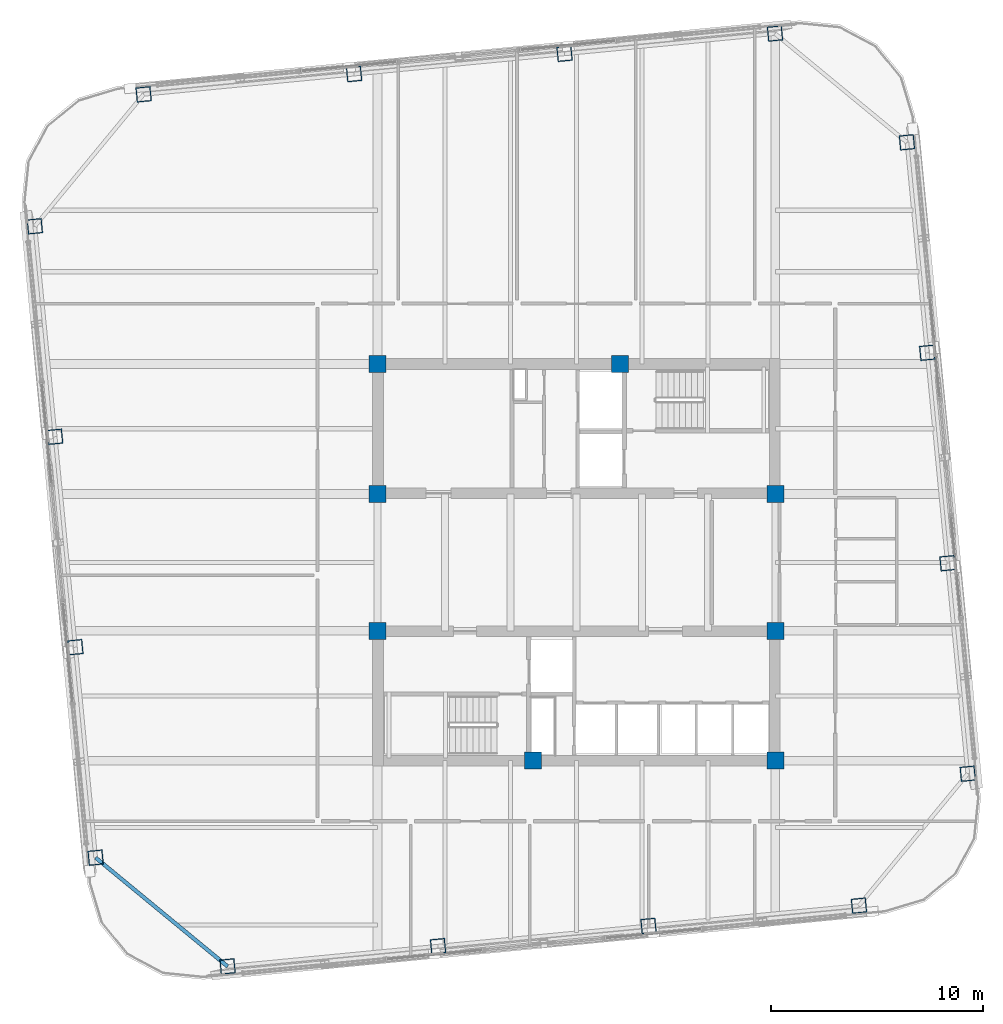
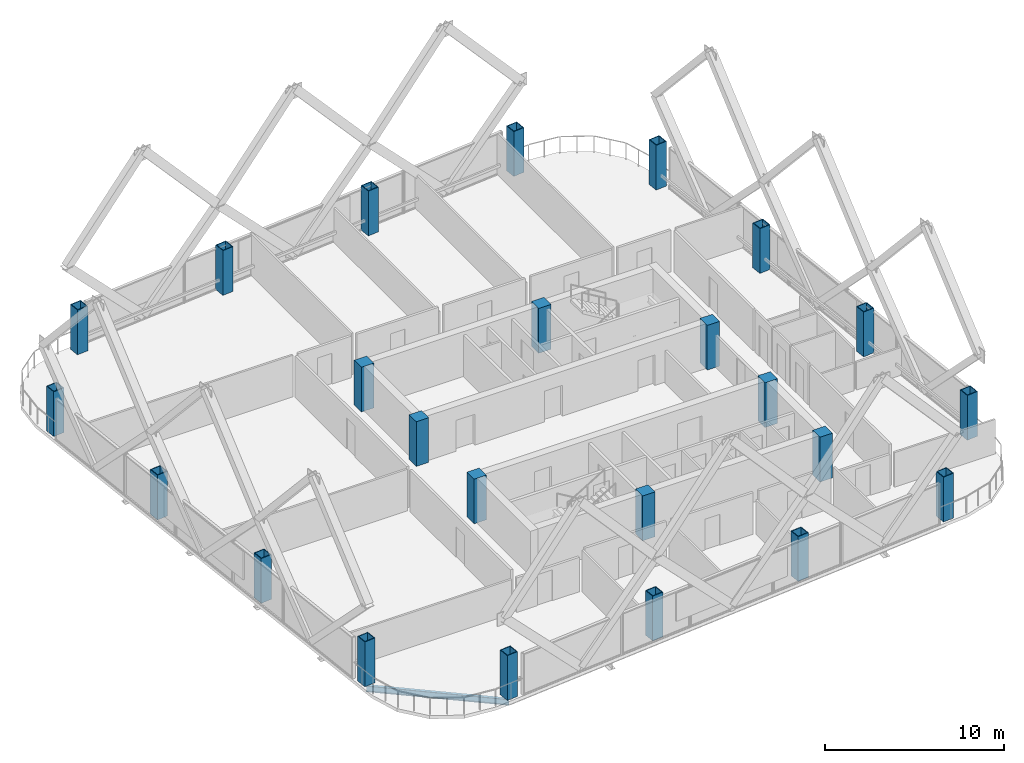
# One storey, part 1 of 34: 24 columns, 1 beam.
"""IFC4 building model written with IfcOpenShell, lengths in metres."""

from ifc_helpers import new_model, si_unit, direction, frame, origin, origin_2d, place, context, subcontext, project, spatial, rectangle, hollow_rectangle, i_section, extrude, material, material_profile, profile_set, type_object, element, save


model = new_model("IFC4")

# Units and contexts
model_context = context("Model", 3, precision=1e-05, world=origin(), true_north=direction((0.0, 1.0)))
body_context = subcontext(model_context, "Body", "Model", "MODEL_VIEW")
ifc_project = project(units=[si_unit("LENGTHUNIT", "METRE"), si_unit("AREAUNIT", "SQUARE_METRE"), si_unit("VOLUMEUNIT", "CUBIC_METRE"), si_unit("PLANEANGLEUNIT", "RADIAN"), si_unit("MASSUNIT", "GRAM", prefix="KILO")], contexts=[model_context])

# Site, building, storey
site_placement = place(None, origin())
site = spatial("IfcSite", under=ifc_project, at=site_placement, CompositionType="ELEMENT")
building_placement = place(site_placement, origin())
building = spatial("IfcBuilding", under=site, at=building_placement, Name="Qhalaya Broadcast Tower", CompositionType="ELEMENT")
storey_placement = place(building_placement, frame((0.0, 0.0, 168.35009765625)))
storey = spatial("IfcBuildingStorey", under=building, at=storey_placement, Name="L49", CompositionType="ELEMENT", Elevation=168.35009765625)

# Columns
ifc_material_1 = material(Name="Concrete C50/60", Category="concrete")
ifc_material_profile_1 = material_profile(ifc_material_1, rectangle(XDim=0.800048828125, YDim=0.800048828125, at=origin_2d()), Name="RC-COL 800x800")
ifc_profile_set_1 = profile_set([ifc_material_profile_1], Name="Concrete C50/60")
column_type_1 = type_object("IfcColumnType", Name="RC Upper Column C10", PredefinedType="COLUMN", material=ifc_profile_set_1)
for number, where, z_axis, x_axis, name in (
    (1, (-9.375, 9.949951171875, 0.0), (0.0, 0.0, 1.0), (1.0, 0.0, 0.0), "L49 Column COL-CC1"),
    (2, (2.050048828125, 9.949951171875, 0.0), (0.0, 0.0, 1.0), (1.0, 0.0, 0.0), "L49 Column COL-CC2"),
    (3, (-9.375, 3.824951171875, 0.0), (0.0, 0.0, 1.0), (1.0, 0.0, 0.0), "L49 Column COL-CC3"),
    (4, (9.375, 3.824951171875, 0.0), (0.0, 0.0, 1.0), (1.0, 0.0, 0.0), "L49 Column COL-CC4"),
    (5, (-9.375, -2.625, 0.0), (0.0, 0.0, 1.0), (1.0, 0.0, 0.0), "L49 Column COL-CC5"),
    (6, (9.375, -2.625, 0.0), (0.0, 0.0, 1.0), (1.0, 0.0, 0.0), "L49 Column COL-CC6"),
    (7, (-2.050048828125, -8.75, 0.0), (0.0, 0.0, 1.0), (1.0, 0.0, 0.0), "L49 Column COL-CC7"),
    (8, (9.375, -8.75, 0.0), (0.0, 0.0, 1.0), (1.0, 0.0, 0.0), "L49 Column COL-CC8"),
):
    element("IfcColumn", number, at=place(storey_placement, frame(where, z_axis=z_axis, x_axis=x_axis)), inside=storey, type_object=column_type_1, Name=name, PredefinedType="COLUMN", context=body_context, shape_type="SweptSolid", body=[
        extrude(rectangle(XDim=0.800048828125, YDim=0.800048828125, at=origin_2d()), origin(), (0.0, 0.0, 1.0), 3.0498046875),
    ])
ifc_material_2 = material(Name="Structural Steel ASTM A572 Grade 50", Category="steel")
ifc_material_profile_2 = material_profile(ifc_material_2, hollow_rectangle(XDim=0.699951171875, YDim=0.699951171875, WallThickness=0.044921875, at=origin_2d()), Name="BOX 700x700x45")
ifc_profile_set_2 = profile_set([ifc_material_profile_2], Name="Structural Steel ASTM A572 Grade 50")
column_type_2 = type_object("IfcColumnType", Name="Steel Box Column C04", PredefinedType="COLUMN", material=ifc_profile_set_2)
for number, where, z_axis, x_axis, name in (
    (9, (-16.44189453125, -18.44775390625, 0.0), (0.0, 0.0, 1.0), (0.995396198367, 0.09584575252, 0.0), "L49 Column COL-EX01"),
    (10, (-6.521240234375, -17.49267578125, 0.0), (0.0, 0.0, 1.0), (0.995396198367, 0.09584575252, 0.0), "L49 Column COL-EX02"),
    (11, (3.399658203125, -16.537353515625, 0.0), (0.0, 0.0, 1.0), (0.995396198367, 0.09584575252, 0.0), "L49 Column COL-EX03"),
    (12, (13.3203125, -15.58203125, 0.0), (0.0, 0.0, 1.0), (0.995396198367, 0.09584575252, 0.0), "L49 Column COL-EX04"),
    (13, (18.44775390625, -9.362060546875, 0.0), (0.0, 0.0, 1.0), (-0.09584575252, 0.995396198367, 0.0), "L49 Column COL-EX05"),
    (14, (17.49267578125, 0.558837890625, 0.0), (0.0, 0.0, 1.0), (-0.09584575252, 0.995396198367, 0.0), "L49 Column COL-EX06"),
    (15, (16.537353515625, 10.4794921875, 0.0), (0.0, 0.0, 1.0), (-0.09584575252, 0.995396198367, 0.0), "L49 Column COL-EX07"),
    (16, (15.58203125, 20.400390625, 0.0), (0.0, 0.0, 1.0), (-0.09584575252, 0.995396198367, 0.0), "L49 Column COL-EX08"),
    (17, (9.362060546875, 25.52783203125, 0.0), (0.0, 0.0, 1.0), (0.995396198367, 0.09584575252, 0.0), "L49 Column COL-EX09"),
    (18, (-0.558837890625, 24.572509765625, 0.0), (0.0, 0.0, 1.0), (0.995396198367, 0.09584575252, 0.0), "L49 Column COL-EX10"),
    (19, (-10.4794921875, 23.6171875, 0.0), (0.0, 0.0, 1.0), (0.995396198367, 0.09584575252, 0.0), "L49 Column COL-EX11"),
    (20, (-20.400390625, 22.662109375, 0.0), (0.0, 0.0, 1.0), (0.995396198367, 0.09584575252, 0.0), "L49 Column COL-EX12"),
    (21, (-25.52783203125, 16.44189453125, 0.0), (0.0, 0.0, 1.0), (-0.09584575252, 0.995396198367, 0.0), "L49 Column COL-EX13"),
    (22, (-24.572509765625, 6.521240234375, 0.0), (0.0, 0.0, 1.0), (-0.09584575252, 0.995396198367, 0.0), "L49 Column COL-EX14"),
    (23, (-23.6171875, -3.399658203125, 0.0), (0.0, 0.0, 1.0), (-0.09584575252, 0.995396198367, 0.0), "L49 Column COL-EX15"),
    (24, (-22.662109375, -13.3203125, 0.0), (0.0, 0.0, 1.0), (-0.09584575252, 0.995396198367, 0.0), "L49 Column COL-EX16"),
):
    element("IfcColumn", number, at=place(storey_placement, frame(where, z_axis=z_axis, x_axis=x_axis)), inside=storey, type_object=column_type_2, Name=name, PredefinedType="COLUMN", context=body_context, shape_type="SweptSolid", body=[
        extrude(hollow_rectangle(XDim=0.699951171875, YDim=0.699951171875, WallThickness=0.044921875, at=origin_2d()), origin(), (0.0, 0.0, 1.0), 3.0498046875),
    ])

# Beam
ifc_material_3 = material(Name="Structural Steel ASTM A992 Grade 50", Category="steel")
ifc_material_profile_3 = material_profile(ifc_material_3, i_section(OverallWidth=0.177978515625, OverallDepth=0.406005859375, WebThickness=0.0078125, FlangeThickness=0.0126953125, at=origin_2d()), Name="W16X40")
ifc_profile_set_3 = profile_set([ifc_material_profile_3], Name="Structural Steel ASTM A992 Grade 50")
beam_type = type_object("IfcBeamType", Name="Upper Perimeter Spandrel Beam SP2", PredefinedType="SPANDREL", material=ifc_profile_set_3)
beam_placement = place(storey_placement, frame((-22.662109375, -13.3203125, -0.423095703125), z_axis=(0.771631160126, -0.636070241972, 0.0), x_axis=(0.636070241972, 0.771631160126, 0.0)))
element("IfcBeam", 25, at=beam_placement, inside=storey, type_object=beam_type, Name="L49 SP2 L49-SPR-16", PredefinedType="SPANDREL", context=body_context, shape_type="SweptSolid", body=[
    extrude(i_section(OverallWidth=0.177978515625, OverallDepth=0.406005859375, WebThickness=0.0078125, FlangeThickness=0.0126953125, at=origin_2d()), origin(), (0.0, 0.0, 1.0), 8.06103515625),
])

save(model, "model.ifc")
